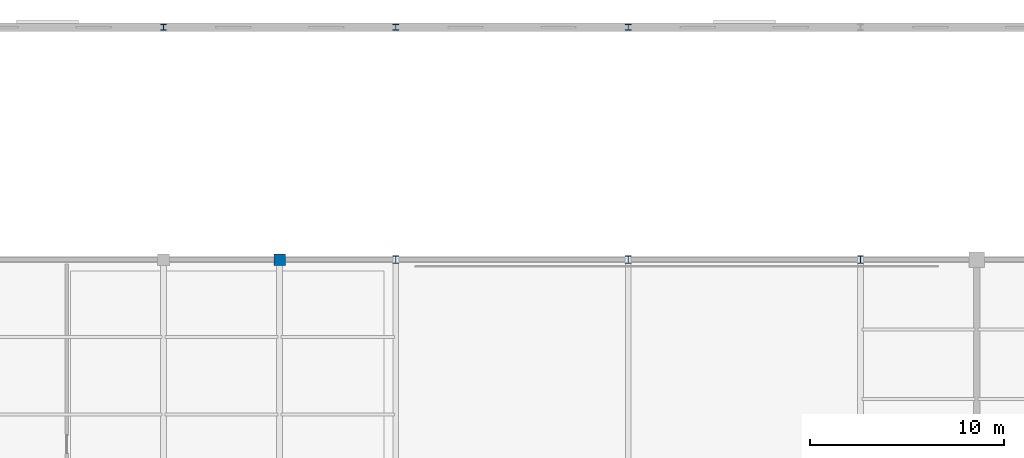
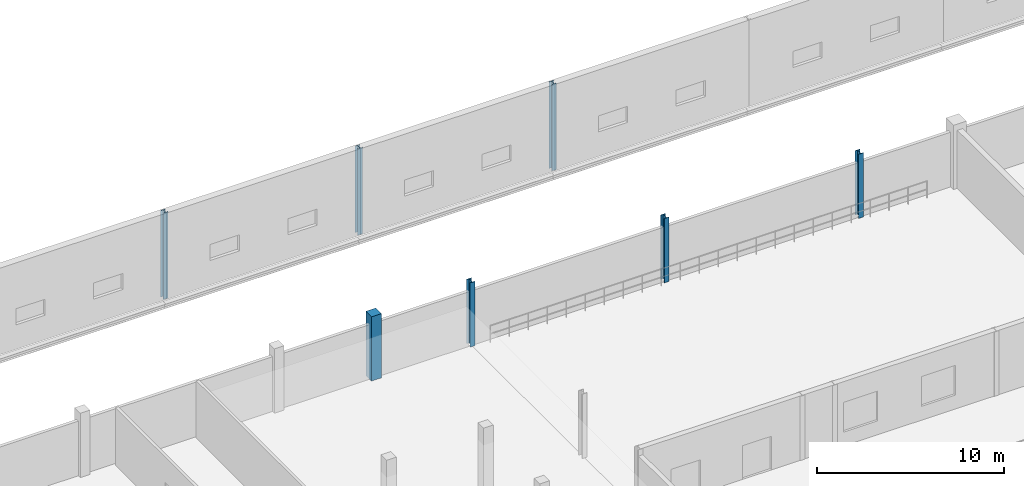
# One storey, part 21 of 147: 7 columns.
"""IFC4 building model written with IfcOpenShell, lengths in metres."""

from ifc_helpers import new_model, si_unit, direction, frame, origin, origin_2d, place, context, subcontext, project, spatial, rectangle, i_section, extrude, material, material_profile, profile_set, type_object, element, save


model = new_model("IFC4")

# Units and contexts
model_context = context("Model", 3, precision=1e-05, world=origin(), true_north=direction((0.0, 1.0)))
body_context = subcontext(model_context, "Body", "Model", "MODEL_VIEW")
ifc_project = project(units=[si_unit("LENGTHUNIT", "METRE"), si_unit("AREAUNIT", "SQUARE_METRE"), si_unit("VOLUMEUNIT", "CUBIC_METRE"), si_unit("PLANEANGLEUNIT", "RADIAN"), si_unit("MASSUNIT", "GRAM", prefix="KILO")], contexts=[model_context])

# Site, building, storey
site_placement = place(None, origin())
site = spatial("IfcSite", under=ifc_project, at=site_placement, CompositionType="ELEMENT")
building_placement = place(site_placement, origin())
building = spatial("IfcBuilding", under=site, at=building_placement, Name="Zilviju Railside Exhibition Hall", CompositionType="ELEMENT")
storey_placement = place(building_placement, frame((0.0, 0.0, 8.39990234375)))
storey = spatial("IfcBuildingStorey", under=building, at=storey_placement, Name="L03", CompositionType="ELEMENT", Elevation=8.39990234375)

# Columns
ifc_material_1 = material(Name="Concrete C35/45", Category="concrete")
ifc_material_profile_1 = material_profile(ifc_material_1, rectangle(XDim=0.60009765625, YDim=0.60009765625, at=origin_2d()), Name="RC COL 600x600")
ifc_profile_set_1 = profile_set([ifc_material_profile_1], Name="Concrete C35/45")
column_type_1 = type_object("IfcColumnType", Name="COL-RC-600", PredefinedType="COLUMN", material=ifc_profile_set_1)
column_placement = place(storey_placement, frame((42.0, 138.0, 0.0), z_axis=(0.0, 0.0, 1.0), x_axis=(1.0, 0.0, 0.0)))
element("IfcColumn", 1, at=column_placement, inside=storey, type_object=column_type_1, Name="Structural Column L03 (42.0, 138.0)", PredefinedType="COLUMN", context=body_context, shape_type="SweptSolid", body=[
    extrude(rectangle(XDim=0.60009765625, YDim=0.60009765625, at=origin_2d()), origin(), (0.0, 0.0, 1.0), 4.2001953125),
])
ifc_material_2 = material(Name="Steel S355J2", Category="steel")
ifc_material_profile_2 = material_profile(ifc_material_2, i_section(OverallWidth=0.300048828125, OverallDepth=0.300048828125, WebThickness=0.010986328125, FlangeThickness=0.01904296875, at=origin_2d()), Name="HEB 300")
ifc_profile_set_2 = profile_set([ifc_material_profile_2], Name="Steel S355J2")
column_type_2 = type_object("IfcColumnType", Name="COL-ST-HEB300", PredefinedType="COLUMN", material=ifc_profile_set_2)
for number, where, z_axis, x_axis, name in (
    (2, (36.0, 150.0, 0.0), (0.0, 0.0, 1.0), (1.0, 0.0, 0.0), "Structural Column L03 (36.0, 150.0)"),
    (3, (48.0, 150.0, 0.0), (0.0, 0.0, 1.0), (1.0, 0.0, 0.0), "Structural Column L03 (48.0, 150.0)"),
    (4, (60.0, 150.0, 0.0), (0.0, 0.0, 1.0), (1.0, 0.0, 0.0), "Structural Column L03 (60.0, 150.0)"),
):
    element("IfcColumn", number, at=place(storey_placement, frame(where, z_axis=z_axis, x_axis=x_axis)), inside=storey, type_object=column_type_2, Name=name, PredefinedType="COLUMN", context=body_context, shape_type="SweptSolid", body=[
        extrude(i_section(OverallWidth=0.300048828125, OverallDepth=0.300048828125, WebThickness=0.010986328125, FlangeThickness=0.01904296875, at=origin_2d()), origin(), (0.0, 0.0, 1.0), 5.650146484375),
    ])
ifc_material_profile_3 = material_profile(ifc_material_2, i_section(OverallWidth=0.300048828125, OverallDepth=0.39990234375, WebThickness=0.013427734375, FlangeThickness=0.02392578125, at=origin_2d()), Name="HEB 400")
ifc_profile_set_3 = profile_set([ifc_material_profile_3], Name="Steel S355J2")
column_type_3 = type_object("IfcColumnType", Name="COL-ST-HEB400", PredefinedType="COLUMN", material=ifc_profile_set_3)
for number, where, z_axis, x_axis, name in (
    (5, (48.0, 138.0, 0.0), (0.0, 0.0, 1.0), (1.0, 0.0, 0.0), "Structural Column L03 (48.0, 138.0)"),
    (6, (60.0, 138.0, 0.0), (0.0, 0.0, 1.0), (1.0, 0.0, 0.0), "Structural Column L03 (60.0, 138.0)"),
    (7, (72.0, 138.0, 0.0), (0.0, 0.0, 1.0), (1.0, 0.0, 0.0), "Structural Column L03 (72.0, 138.0)"),
):
    element("IfcColumn", number, at=place(storey_placement, frame(where, z_axis=z_axis, x_axis=x_axis)), inside=storey, type_object=column_type_3, Name=name, PredefinedType="COLUMN", context=body_context, shape_type="SweptSolid", body=[
        extrude(i_section(OverallWidth=0.300048828125, OverallDepth=0.39990234375, WebThickness=0.013427734375, FlangeThickness=0.02392578125, at=origin_2d()), origin(), (0.0, 0.0, 1.0), 4.2001953125),
    ])

save(model, "model.ifc")
